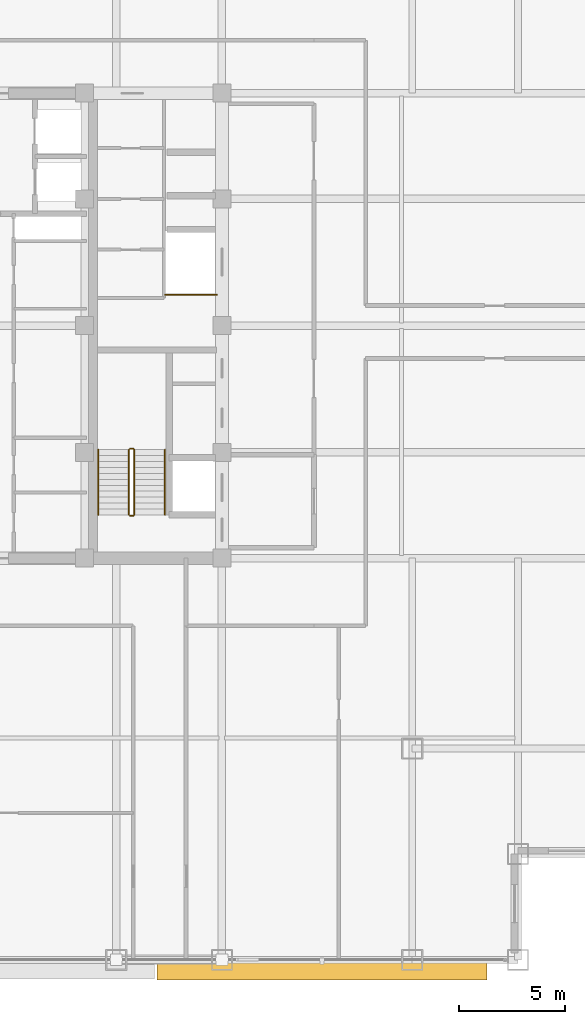
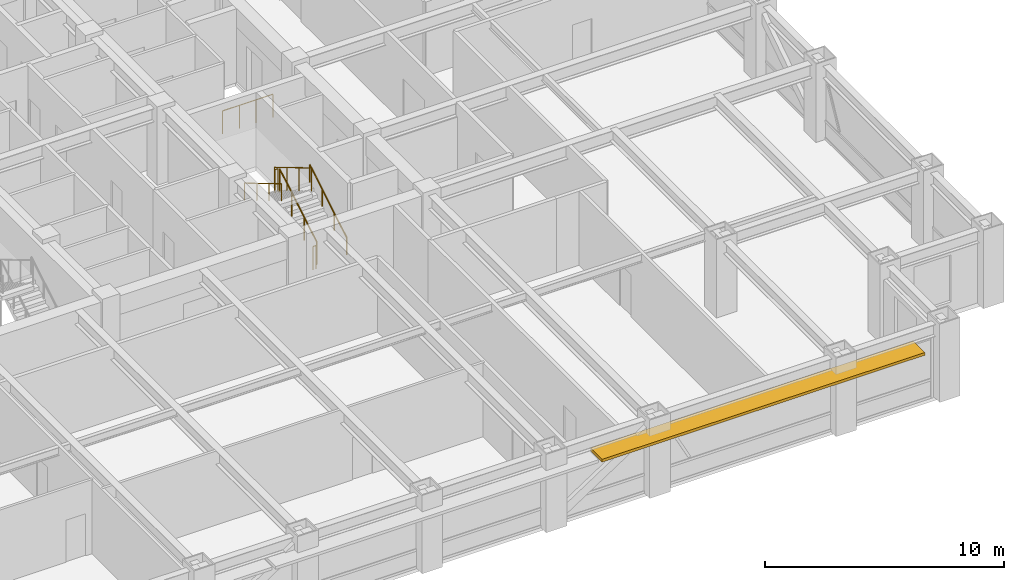
# One storey, part 27 of 29: 7 railings, 1 shading device.
"""IFC4 building model written with IfcOpenShell, lengths in metres."""

from ifc_helpers import new_model, si_unit, direction, frame, origin, origin_2d, place, context, subcontext, project, spatial, rectangle, circle, extrude, source, transform, mapped, material, layer, layer_set, type_object, element, save


model = new_model("IFC4")

# Units and contexts
model_context = context("Model", 3, precision=1e-05, world=origin(), true_north=direction((0.0, 1.0)))
body_context = subcontext(model_context, "Body", "Model", "MODEL_VIEW")
ifc_project = project(units=[si_unit("LENGTHUNIT", "METRE"), si_unit("AREAUNIT", "SQUARE_METRE"), si_unit("VOLUMEUNIT", "CUBIC_METRE"), si_unit("PLANEANGLEUNIT", "RADIAN"), si_unit("MASSUNIT", "GRAM", prefix="KILO")], contexts=[model_context])

# Site, building, storey
site_placement = place(None, origin())
site = spatial("IfcSite", under=ifc_project, at=site_placement, CompositionType="ELEMENT")
building_placement = place(site_placement, origin())
building = spatial("IfcBuilding", under=site, at=building_placement, Name="Khorayat Bourse Tower", CompositionType="ELEMENT")
storey_placement = place(building_placement, frame((0.0, 0.0, 239.10009765625)))
storey = spatial("IfcBuildingStorey", under=building, at=storey_placement, Name="L56", CompositionType="ELEMENT", Elevation=239.10009765625)

# Shading device
ifc_material_1 = material(Name="Precast concrete C45/55", Category="concrete")
ifc_layer = layer(ifc_material_1, 0.139892578125)
ifc_layer_set = layer_set([ifc_layer], Name="Precast concrete C45/55")
shading_device_type = type_object("IfcShadingDeviceType", Name="SHD-WAVE-TRAY-A", PredefinedType="USERDEFINED", material=ifc_layer_set)
shared_shape_1 = source(origin(), body_context, "Body", "SweptSolid", [
    extrude(rectangle(XDim=15.59326171875, YDim=0.974609375, at=origin_2d()), origin(), (0.0, 0.0, 1.0), 0.139892578125),
])
shading_device_placement = place(storey_placement, frame((15.7333984375, -30.46728515625, 3.02978515625), z_axis=(0.0, 0.0, 1.0), x_axis=(1.0, 0.0, 0.0)))
element("IfcShadingDevice", 1, at=shading_device_placement, inside=storey, type_object=shading_device_type, Name="L56 Sinusoidal Wave Sunshade Tray S-3", ObjectType="SUNSHADE", PredefinedType="USERDEFINED", context=body_context, shape_type="MappedRepresentation", body=[
    mapped(shared_shape_1, transform((0.0, 0.0, 0.0), scale=1.0)),
])

# Railings
ifc_material_2 = material(Name="Powder-coated steel balustrade", Category="steel")
railing_type_1 = type_object("IfcRailingType", Name="RLG-GUARD-1200", PredefinedType="GUARDRAIL", material=ifc_material_2)
shared_shape_2 = source(origin(), body_context, "Body", "SweptSolid", [
    extrude(circle(Radius=0.02392578125, at=origin_2d()), frame((0.0, 0.0, 1.17578125), z_axis=(-1.0, 0.0, 0.0), x_axis=(0.0, -1.0, 0.0)), (0.0, 0.0, 1.0), 0.150146484375),
    extrude(circle(Radius=0.02099609375, at=origin_2d()), origin(), (0.0, 0.0, 1.0), 1.15185546875),
    extrude(circle(Radius=0.02099609375, at=origin_2d()), frame((-0.150146484375, 0.0, 0.0)), (0.0, 0.0, 1.0), 1.15185546875),
])
for number, where, name in (
    (2, (6.800048828125, -5.820068359375, 2.0), "L56 ST-3 stair guard 2"),
    (3, (6.800048828125, -9.0, 0.0), "L56 ST-3 stair guard 4"),
):
    element("IfcRailing", number, at=place(storey_placement, frame(where)), inside=storey, type_object=railing_type_1, Name=name, PredefinedType="GUARDRAIL", context=body_context, shape_type="MappedRepresentation", body=[
        mapped(shared_shape_2, transform((0.0, 0.0, 0.0), scale=1.0)),
    ])
shared_shape_3 = source(origin(), body_context, "Body", "SweptSolid", [
    extrude(circle(Radius=0.02392578125, at=origin_2d()), frame((0.0, 0.0, 1.17578125), z_axis=(0.0, 0.859260807169, 0.511537745687), x_axis=(-1.0, 0.0, 0.0)), (0.0, 0.0, 1.0), 3.584228515625),
    extrude(circle(Radius=0.02099609375, at=origin_2d()), origin(), (0.0, 0.0, 1.0), 1.15185546875),
    extrude(circle(Radius=0.02099609375, at=origin_2d()), frame((0.0, 1.026611328125, 0.611083984375)), (0.0, 0.0, 1.0), 1.15185546875),
    extrude(circle(Radius=0.02099609375, at=origin_2d()), frame((0.0, 2.05322265625, 1.222412109375)), (0.0, 0.0, 1.0), 1.15185546875),
    extrude(circle(Radius=0.02099609375, at=origin_2d()), frame((0.0, 3.079833984375, 1.83349609375)), (0.0, 0.0, 1.0), 1.15185546875),
])
railing_1_placement = place(storey_placement, frame((6.85009765625, -8.949951171875, 0.16650390625)))
element("IfcRailing", 4, at=railing_1_placement, inside=storey, type_object=railing_type_1, Name="L56 ST-3 stair guard 1", PredefinedType="GUARDRAIL", context=body_context, shape_type="MappedRepresentation", body=[
    mapped(shared_shape_3, transform((0.0, 0.0, 0.0), scale=1.0)),
])
shared_shape_4 = source(origin(), body_context, "Body", "SweptSolid", [
    extrude(circle(Radius=0.02392578125, at=origin_2d()), frame((0.0, 0.0, 1.17578125), z_axis=(0.0, -0.859260807169, 0.511537745687), x_axis=(1.0, 0.0, 0.0)), (0.0, 0.0, 1.0), 3.584228515625),
    extrude(circle(Radius=0.02099609375, at=origin_2d()), origin(), (0.0, 0.0, 1.0), 1.15185546875),
    extrude(circle(Radius=0.02099609375, at=origin_2d()), frame((0.0, -1.026611328125, 0.611083984375)), (0.0, 0.0, 1.0), 1.15185546875),
    extrude(circle(Radius=0.02099609375, at=origin_2d()), frame((0.0, -2.05322265625, 1.222412109375)), (0.0, 0.0, 1.0), 1.15185546875),
    extrude(circle(Radius=0.02099609375, at=origin_2d()), frame((0.0, -3.079833984375, 1.83349609375)), (0.0, 0.0, 1.0), 1.15185546875),
])
railing_2_placement = place(storey_placement, frame((6.60009765625, -5.8701171875, 2.16650390625)))
element("IfcRailing", 5, at=railing_2_placement, inside=storey, type_object=railing_type_1, Name="L56 ST-3 stair guard 3", PredefinedType="GUARDRAIL", context=body_context, shape_type="MappedRepresentation", body=[
    mapped(shared_shape_4, transform((0.0, 0.0, 0.0), scale=1.0)),
])
ifc_material_3 = material(Name="Brushed bronze stainless-steel handrail", Category="steel")
railing_type_2 = type_object("IfcRailingType", Name="RLG-HAND-900", PredefinedType="HANDRAIL", material=ifc_material_3)
shared_shape_5 = source(origin(), body_context, "Body", "SweptSolid", [
    extrude(circle(Radius=0.02392578125, at=origin_2d()), frame((0.0, 0.0, 0.8759765625), z_axis=(0.0, 0.859260807169, 0.511537745687), x_axis=(-1.0, 0.0, 0.0)), (0.0, 0.0, 1.0), 3.584228515625),
    extrude(circle(Radius=0.02099609375, at=origin_2d()), origin(), (0.0, 0.0, 1.0), 0.851806640625),
    extrude(circle(Radius=0.02099609375, at=origin_2d()), frame((0.0, 1.026611328125, 0.611083984375)), (0.0, 0.0, 1.0), 0.851806640625),
    extrude(circle(Radius=0.02099609375, at=origin_2d()), frame((0.0, 2.05322265625, 1.222412109375)), (0.0, 0.0, 1.0), 0.851806640625),
    extrude(circle(Radius=0.02099609375, at=origin_2d()), frame((0.0, 3.079833984375, 1.83349609375)), (0.0, 0.0, 1.0), 0.851806640625),
])
railing_3_placement = place(storey_placement, frame((8.300048828125, -8.949951171875, 0.16650390625)))
element("IfcRailing", 6, at=railing_3_placement, inside=storey, type_object=railing_type_2, Name="L56 ST-3 stair handrail 1", PredefinedType="HANDRAIL", context=body_context, shape_type="MappedRepresentation", body=[
    mapped(shared_shape_5, transform((0.0, 0.0, 0.0), scale=1.0)),
])
shared_shape_6 = source(origin(), body_context, "Body", "SweptSolid", [
    extrude(circle(Radius=0.02392578125, at=origin_2d()), frame((0.0, 0.0, 0.8759765625), z_axis=(0.0, -0.859260807169, 0.511537745687), x_axis=(1.0, 0.0, 0.0)), (0.0, 0.0, 1.0), 3.584228515625),
    extrude(circle(Radius=0.02099609375, at=origin_2d()), origin(), (0.0, 0.0, 1.0), 0.851806640625),
    extrude(circle(Radius=0.02099609375, at=origin_2d()), frame((0.0, -1.026611328125, 0.611083984375)), (0.0, 0.0, 1.0), 0.851806640625),
    extrude(circle(Radius=0.02099609375, at=origin_2d()), frame((0.0, -2.05322265625, 1.222412109375)), (0.0, 0.0, 1.0), 0.851806640625),
    extrude(circle(Radius=0.02099609375, at=origin_2d()), frame((0.0, -3.079833984375, 1.83349609375)), (0.0, 0.0, 1.0), 0.851806640625),
])
railing_4_placement = place(storey_placement, frame((5.14990234375, -5.8701171875, 2.16650390625)))
element("IfcRailing", 7, at=railing_4_placement, inside=storey, type_object=railing_type_2, Name="L56 ST-3 stair handrail 2", PredefinedType="HANDRAIL", context=body_context, shape_type="MappedRepresentation", body=[
    mapped(shared_shape_6, transform((0.0, 0.0, 0.0), scale=1.0)),
])
shared_shape_7 = source(origin(), body_context, "Body", "SweptSolid", [
    extrude(circle(Radius=0.02392578125, at=origin_2d()), frame((0.0, 0.0, 1.17578125), z_axis=(1.0, 0.0, 0.0), x_axis=(0.0, 1.0, 0.0)), (0.0, 0.0, 1.0), 2.429931640625),
    extrude(circle(Radius=0.02099609375, at=origin_2d()), origin(), (0.0, 0.0, 1.0), 1.15185546875),
    extrude(circle(Radius=0.02099609375, at=origin_2d()), frame((0.81005859375, 0.0, 0.0)), (0.0, 0.0, 1.0), 1.15185546875),
    extrude(circle(Radius=0.02099609375, at=origin_2d()), frame((1.619873046875, 0.0, 0.0)), (0.0, 0.0, 1.0), 1.15185546875),
    extrude(circle(Radius=0.02099609375, at=origin_2d()), frame((2.429931640625, 0.0, 0.0)), (0.0, 0.0, 1.0), 1.15185546875),
])
railing_5_placement = place(storey_placement, frame((8.320068359375, 1.4599609375, 0.0)))
element("IfcRailing", 8, at=railing_5_placement, inside=storey, type_object=railing_type_1, Name="L56 Goods Shaft Opening Guardrail", PredefinedType="GUARDRAIL", context=body_context, shape_type="MappedRepresentation", body=[
    mapped(shared_shape_7, transform((0.0, 0.0, 0.0), scale=1.0)),
])

save(model, "model.ifc")
